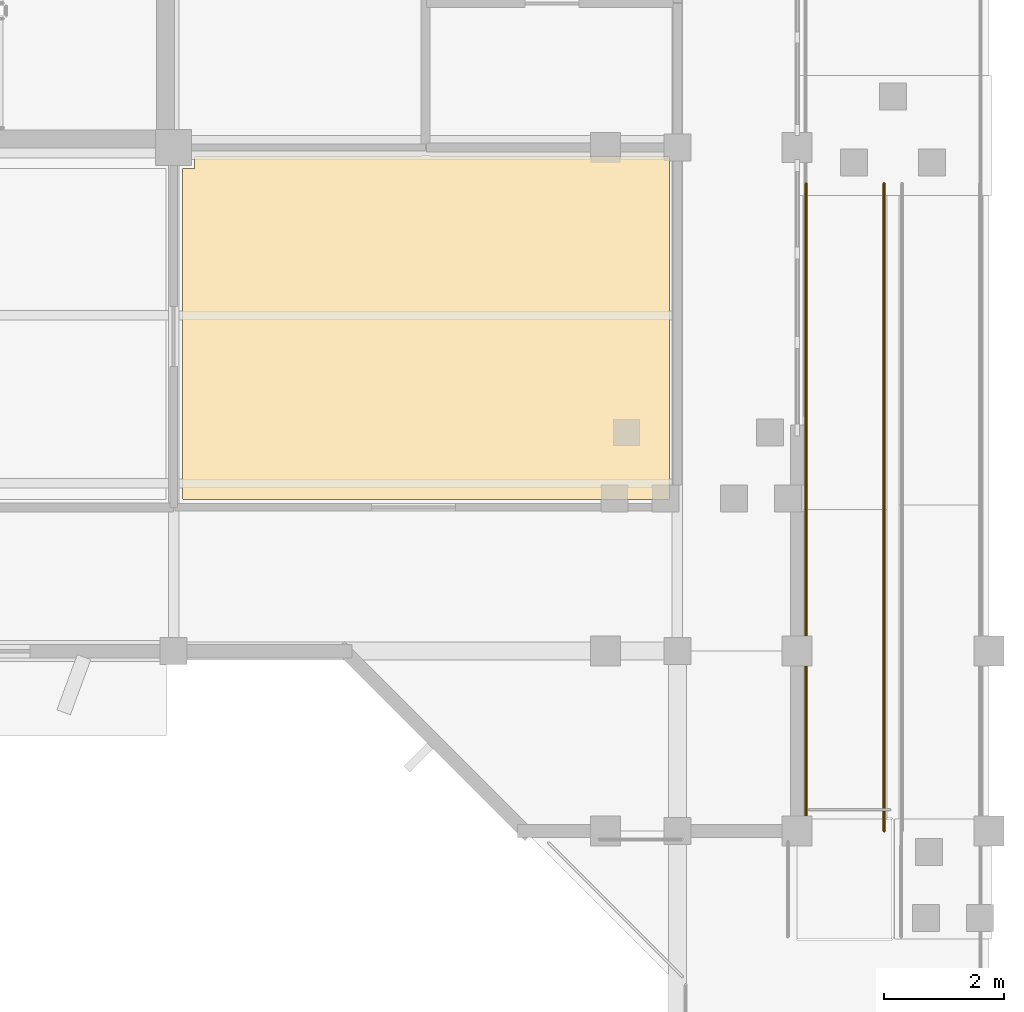
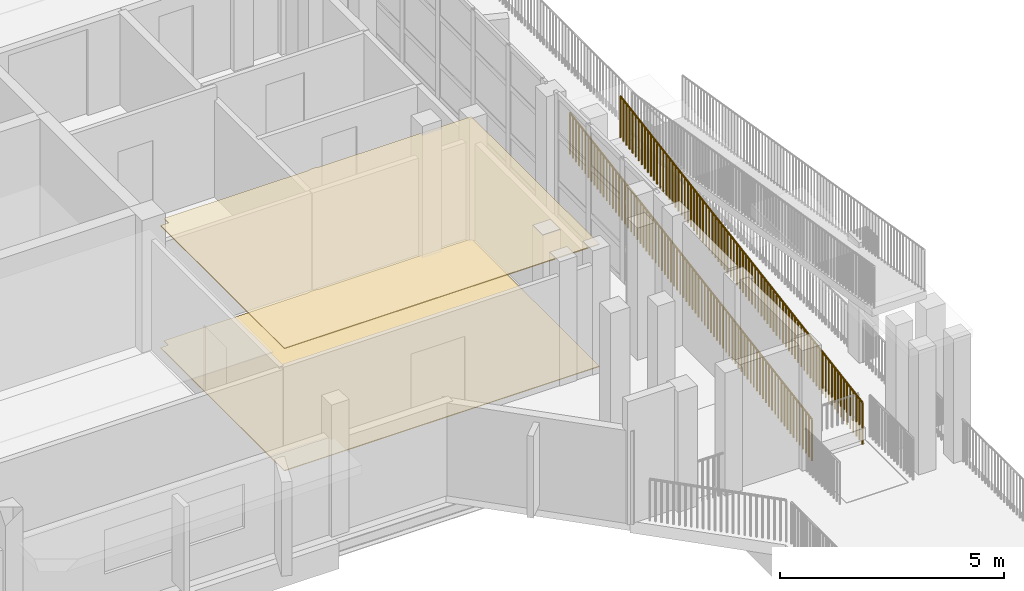
# One storey, part 40 of 42: 2 coverings, 2 railings.
"""IFC4 building model written with IfcOpenShell, lengths in metres."""

import ifcopenshell
import ifcopenshell.guid

model = None  # the IFC model being written
_history = None  # IfcOwnerHistory: only IFC2X3 demands one
_inside = {}  # id of a spatial element -> (the spatial element, [elements in it])
_under = {}  # id of a project, library or spatial element -> (it, [spatial elements below it])
_declared = {}  # id of a project -> (the project, [libraries it declares])
_typed = {}  # id of a type object -> (the type object, [elements of that type])
_made_of = {}  # id of a material, layer set ... -> (it, [elements and type objects made of it])


def new_model(schema):
    """Start an empty IFC model of exactly this schema.

    Asked for "IFC4X3", IfcOpenShell would pick the latest addendum, in which some entities
    have other attributes; the version numbers below select the first issue.
    IFC2X3 requires an IfcOwnerHistory on every rooted entity: one is made here for all.
    """
    global model, _history
    if schema == "IFC4X3":
        model = ifcopenshell.file(schema_version=(4, 3, 0, 0))
    else:
        model = ifcopenshell.file(schema=schema)
    _inside.clear()
    _under.clear()
    _declared.clear()
    _typed.clear()
    _made_of.clear()
    _history = None
    if model.schema == "IFC2X3":
        org = make("IfcOrganization", Name="unknown")
        user = make(
            "IfcPersonAndOrganization",
            ThePerson=make("IfcPerson", FamilyName="unknown"),
            TheOrganization=org,
        )
        app = make(
            "IfcApplication",
            ApplicationDeveloper=org,
            Version="unknown",
            ApplicationFullName="unknown",
            ApplicationIdentifier="unknown",
        )
        _history = make(
            "IfcOwnerHistory",
            OwningUser=user,
            OwningApplication=app,
            ChangeAction="ADDED",
            CreationDate=0,
        )
    return model


def make(cls, **values):
    """One entity of the class cls with the attributes given. An attribute that is None is left unset."""
    return model.create_entity(
        cls, **{name: value for name, value in values.items() if value is not None}
    )


def rooted(cls, **values):
    """An entity with a GlobalId (a new one), such as an element, a storey or a relation."""
    return make(cls, GlobalId=ifcopenshell.guid.new(), OwnerHistory=_history, **values)


def si_unit(unit_type, name, prefix=None):
    """IfcSIUnit, for example si_unit("LENGTHUNIT", "METRE", prefix="MILLI")."""
    return make("IfcSIUnit", UnitType=unit_type, Prefix=prefix, Name=name)


def assignment(units):
    """IfcUnitAssignment: the units of a project."""
    return None if units is None else make("IfcUnitAssignment", Units=units)


def point(xyz):
    """IfcCartesianPoint."""
    return None if xyz is None else make("IfcCartesianPoint", Coordinates=xyz)


def direction(xyz):
    """IfcDirection."""
    return None if xyz is None else make("IfcDirection", DirectionRatios=xyz)


def frame(location, z_axis=None, x_axis=None):
    """IfcAxis2Placement3D, a coordinate frame: its origin and axes. An axis left out is left unset."""
    return make(
        "IfcAxis2Placement3D",
        Location=point(location),
        Axis=direction(z_axis),
        RefDirection=direction(x_axis),
    )


def frame_2d(location, x_axis=None):
    """IfcAxis2Placement2D, a coordinate frame in the plane: its origin and x axis."""
    return make(
        "IfcAxis2Placement2D", Location=point(location), RefDirection=direction(x_axis)
    )


def origin():
    """The frame at (0, 0, 0) with its axes left unset."""
    return frame((0.0, 0.0, 0.0))


def origin_2d():
    """The frame at (0, 0) in the plane with its x axis left unset."""
    return frame_2d((0.0, 0.0))


def place(relative_to, where):
    """IfcLocalPlacement: puts the frame where relative to a parent placement (None: the world)."""
    return make(
        "IfcLocalPlacement", PlacementRelTo=relative_to, RelativePlacement=where
    )


def context(
    kind, dimensions, precision=None, world=None, true_north=None, identifier=None
):
    """IfcGeometricRepresentationContext, for example the 3D "Model" context."""
    return make(
        "IfcGeometricRepresentationContext",
        ContextIdentifier=identifier,
        ContextType=kind,
        CoordinateSpaceDimension=dimensions,
        Precision=precision,
        WorldCoordinateSystem=world,
        TrueNorth=true_north,
    )


def subcontext(parent, identifier, kind, view, scale=None):
    """IfcGeometricRepresentationSubContext, for example "Body" below "Model"."""
    return make(
        "IfcGeometricRepresentationSubContext",
        ContextIdentifier=identifier,
        ContextType=kind,
        ParentContext=parent,
        TargetScale=scale,
        TargetView=view,
    )


def project(units=None, contexts=None):
    """IfcProject with its units and contexts."""
    return rooted(
        "IfcProject",
        Name="project",
        RepresentationContexts=contexts,
        UnitsInContext=assignment(units),
    )


def spatial(cls, under=None, at=None, **own):
    """A site, building, storey or space (cls), placed at a placement, below another one or the project."""
    s = rooted(cls, ObjectPlacement=at, **own)
    if under is not None:
        _under.setdefault(under.id(), (under, []))[1].append(s)
    return s


def polyline(points):
    """IfcPolyline through the points."""
    return make("IfcPolyline", Points=[point(p) for p in points])


def profile(cls, at=None, kind="AREA", **sizes):
    """A parametric profile (cls). Its sizes go by their IFC names, for example OverallWidth=200.0."""
    return make(cls, ProfileType=kind, Position=at, **sizes)


def circle(**sizes):
    """IfcCircleProfileDef."""
    return profile("IfcCircleProfileDef", **sizes)


def outline(outer, holes=None, kind="AREA"):
    """IfcArbitraryClosedProfileDef: a profile drawn as a closed curve; with holes, ...WithVoids."""
    if holes is None:
        return make("IfcArbitraryClosedProfileDef", ProfileType=kind, OuterCurve=outer)
    return make(
        "IfcArbitraryProfileDefWithVoids",
        ProfileType=kind,
        OuterCurve=outer,
        InnerCurves=holes,
    )


def extrude(swept, where, along, depth):
    """IfcExtrudedAreaSolid: the profile swept, set in the frame where, extruded along a direction by depth."""
    return make(
        "IfcExtrudedAreaSolid",
        SweptArea=swept,
        Position=where,
        ExtrudedDirection=direction(along),
        Depth=depth,
    )


def shape(context_of_items, identifier, shape_type, items):
    """IfcShapeRepresentation: the items that make up one representation, for example the "Body"."""
    return make(
        "IfcShapeRepresentation",
        ContextOfItems=context_of_items,
        RepresentationIdentifier=identifier,
        RepresentationType=shape_type,
        Items=items,
    )


def material(Name=None, Category=None):
    """IfcMaterial."""
    return make("IfcMaterial", Name=Name, Category=Category)


def layer(
    of_material, thickness, ventilated=None, Name=None, Category=None, Priority=None
):
    """IfcMaterialLayer: one layer of a wall or slab, of a material (None: an air gap)."""
    return make(
        "IfcMaterialLayer",
        Material=of_material,
        LayerThickness=thickness,
        IsVentilated=ventilated,
        Name=Name,
        Category=Category,
        Priority=Priority,
    )


def layer_set(layers, Name=None):
    """IfcMaterialLayerSet."""
    return make("IfcMaterialLayerSet", MaterialLayers=layers, LayerSetName=Name)


def made_of(thing, what):
    """Note that an element or type object is made of a material, layer set ...; save() writes the relation."""
    if what is not None:
        _made_of.setdefault(what.id(), (what, []))[1].append(thing)
    return thing


def type_object(cls, material=None, **own):
    """A type object (cls), such as IfcWallType, which elements share."""
    return made_of(rooted(cls, **own), material)


def element(
    cls,
    number,
    at=None,
    inside=None,
    cuts=None,
    type_object=None,
    material=None,
    context=None,
    identifier="Body",
    shape_type=None,
    held_by="IfcProductDefinitionShape",
    body=None,
    shapes=None,
    **own,
):
    """One element of the class cls, such as IfcWall. Its Tag is "e" and its number.

    at: its placement. inside: the storey or other place that contains it. cuts: it is an
    opening in that element (IfcRelVoidsElement). A single representation is given by context,
    identifier, shape_type and body (its items); several are given by shapes. held_by: the class
    of the entity that holds the representations. save() writes the other relations.
    """
    e = rooted(cls, Tag="e%d" % number, ObjectPlacement=at, **own)
    if body is not None:
        shapes = [shape(context, identifier, shape_type, body)]
    if shapes is not None:
        e.Representation = make(held_by, Representations=shapes)
    if inside is not None:
        _inside.setdefault(inside.id(), (inside, []))[1].append(e)
    if cuts is not None:
        rooted(
            "IfcRelVoidsElement", RelatingBuildingElement=cuts, RelatedOpeningElement=e
        )
    if type_object is not None:
        _typed.setdefault(type_object.id(), (type_object, []))[1].append(e)
    return made_of(e, material)


def aggregate(whole, parts):
    """IfcRelAggregates: a whole, such as a stair, and the parts it consists of."""
    return rooted("IfcRelAggregates", RelatingObject=whole, RelatedObjects=parts)


def save(model, path):
    """Write the relations noted so far, then the file.

    IfcRelAggregates (storeys below a building ...), IfcRelContainedInSpatialStructure (elements
    in a storey), IfcRelDefinesByType, IfcRelAssociatesMaterial and IfcRelDeclares: one each for
    every whole, place, type object, material and project.
    """
    for whole, parts in _under.values():
        aggregate(whole, parts)
    for where, things in _inside.values():
        rooted(
            "IfcRelContainedInSpatialStructure",
            RelatedElements=things,
            RelatingStructure=where,
        )
    for kind, things in _typed.values():
        rooted("IfcRelDefinesByType", RelatedObjects=things, RelatingType=kind)
    for what, things in _made_of.values():
        rooted("IfcRelAssociatesMaterial", RelatedObjects=things, RelatingMaterial=what)
    for by, libraries in _declared.values():
        rooted("IfcRelDeclares", RelatingContext=by, RelatedDefinitions=libraries)
    model.write(path)


model = new_model("IFC4")

# Units and contexts
model_context = context("Model", 3, precision=1e-05, world=origin(), true_north=direction((0.0, 1.0)))
body_context = subcontext(model_context, "Body", "Model", "MODEL_VIEW")
ifc_project = project(units=[si_unit("LENGTHUNIT", "METRE"), si_unit("AREAUNIT", "SQUARE_METRE"), si_unit("VOLUMEUNIT", "CUBIC_METRE"), si_unit("PLANEANGLEUNIT", "RADIAN"), si_unit("MASSUNIT", "GRAM", prefix="KILO")], contexts=[model_context])

# Site, building, storey
site_placement = place(None, origin())
site = spatial("IfcSite", under=ifc_project, at=site_placement, CompositionType="ELEMENT")
building_placement = place(site_placement, origin())
building = spatial("IfcBuilding", under=site, at=building_placement, Name="Vanh Quang Courtyard School", CompositionType="ELEMENT")
storey_placement = place(building_placement, frame((0.0, 0.0, 15.0)))
storey = spatial("IfcBuildingStorey", under=building, at=storey_placement, Name="L04", CompositionType="ELEMENT", Elevation=15.0)

# Coverings
ifc_material_1 = material(Name="Perforated mineral-fibre acoustic ceiling board")
ifc_layer_1 = layer(ifc_material_1, 0.02490234375)
ifc_layer_set_1 = layer_set([ifc_layer_1], Name="Perforated mineral-fibre acoustic ceiling board")
covering_type_1 = type_object("IfcCoveringType", Name="COV-CEIL-ACOUSTIC", PredefinedType="CEILING", material=ifc_layer_set_1)
covering_1_placement = place(storey_placement, frame((0.0, 0.0, 3.324951171875)))
element("IfcCovering", 1, at=covering_1_placement, inside=storey, type_object=covering_type_1, Name="Covering CV-CL1 (L04)", PredefinedType="CEILING", context=body_context, shape_type="SweptSolid", body=[
    extrude(outline(polyline([(102.75, 79.449951171875), (102.949951171875, 79.449951171875), (102.949951171875, 79.64990234375), (106.6591796875, 79.64990234375), (106.765625, 79.669921875), (106.7666015625, 79.669921875), (106.767333984375, 79.669921875), (106.8525390625, 79.669921875), (106.853515625, 79.669921875), (106.8544921875, 79.669921875), (106.9609375, 79.64990234375), (110.860107421875, 79.64990234375), (110.861083984375, 79.64990234375), (110.862060546875, 79.64990234375), (110.86279296875, 79.649658203125), (110.86376953125, 79.649169921875), (110.86474609375, 79.648681640625), (110.865478515625, 79.648193359375), (110.8662109375, 79.647705078125), (110.8671875, 79.647216796875), (110.86767578125, 79.646240234375), (110.868408203125, 79.6455078125), (110.868896484375, 79.644775390625), (110.869140625, 79.643798828125), (110.86962890625, 79.642822265625), (110.869873046875, 79.64208984375), (110.8701171875, 79.64111328125), (110.8701171875, 79.639892578125), (110.8701171875, 73.93994140625), (110.8701171875, 73.93896484375), (110.869873046875, 73.93798828125), (110.86962890625, 73.93701171875), (110.869140625, 73.936279296875), (110.868896484375, 73.935302734375), (110.868408203125, 73.934326171875), (110.86767578125, 73.93359375), (110.8671875, 73.932861328125), (110.8662109375, 73.932373046875), (110.865478515625, 73.931640625), (110.86474609375, 73.93115234375), (110.86376953125, 73.930908203125), (110.86279296875, 73.930419921875), (110.862060546875, 73.93017578125), (110.861083984375, 73.929931640625), (110.860107421875, 73.929931640625), (102.760009765625, 73.929931640625), (102.759033203125, 73.929931640625), (102.758056640625, 73.93017578125), (102.757080078125, 73.930419921875), (102.756103515625, 73.930908203125), (102.75537109375, 73.93115234375), (102.75439453125, 73.931640625), (102.753662109375, 73.932373046875), (102.7529296875, 73.932861328125), (102.752197265625, 73.93359375), (102.751708984375, 73.934326171875), (102.751220703125, 73.935302734375), (102.750732421875, 73.936279296875), (102.75048828125, 73.93701171875), (102.750244140625, 73.93798828125), (102.75, 73.93896484375), (102.75, 73.93994140625), (102.75, 79.449951171875)])), origin(), (0.0, 0.0, 1.0), 0.025146484375),
])
ifc_material_2 = material(Name="Polished cementitious terrazzo tile", Category="concrete")
ifc_layer_2 = layer(ifc_material_2, 0.02001953125)
ifc_layer_set_2 = layer_set([ifc_layer_2], Name="Polished cementitious terrazzo tile")
covering_type_2 = type_object("IfcCoveringType", Name="COV-FLR-TERRAZZO", PredefinedType="FLOORING", material=ifc_layer_set_2)
covering_2_placement = place(storey_placement, origin())
element("IfcCovering", 2, at=covering_2_placement, inside=storey, type_object=covering_type_2, Name="Covering CV-FL1 (L04)", PredefinedType="FLOORING", context=body_context, shape_type="SweptSolid", body=[
    extrude(outline(polyline([(102.75, 79.449951171875), (102.949951171875, 79.449951171875), (102.949951171875, 79.64990234375), (106.6591796875, 79.64990234375), (106.765625, 79.669921875), (106.7666015625, 79.669921875), (106.767333984375, 79.669921875), (106.8525390625, 79.669921875), (106.853515625, 79.669921875), (106.8544921875, 79.669921875), (106.9609375, 79.64990234375), (110.860107421875, 79.64990234375), (110.861083984375, 79.64990234375), (110.862060546875, 79.64990234375), (110.86279296875, 79.649658203125), (110.86376953125, 79.649169921875), (110.86474609375, 79.648681640625), (110.865478515625, 79.648193359375), (110.8662109375, 79.647705078125), (110.8671875, 79.647216796875), (110.86767578125, 79.646240234375), (110.868408203125, 79.6455078125), (110.868896484375, 79.644775390625), (110.869140625, 79.643798828125), (110.86962890625, 79.642822265625), (110.869873046875, 79.64208984375), (110.8701171875, 79.64111328125), (110.8701171875, 79.639892578125), (110.8701171875, 73.93994140625), (110.8701171875, 73.93896484375), (110.869873046875, 73.93798828125), (110.86962890625, 73.93701171875), (110.869140625, 73.936279296875), (110.868896484375, 73.935302734375), (110.868408203125, 73.934326171875), (110.86767578125, 73.93359375), (110.8671875, 73.932861328125), (110.8662109375, 73.932373046875), (110.865478515625, 73.931640625), (110.86474609375, 73.93115234375), (110.86376953125, 73.930908203125), (110.86279296875, 73.930419921875), (110.862060546875, 73.93017578125), (110.861083984375, 73.929931640625), (110.860107421875, 73.929931640625), (102.760009765625, 73.929931640625), (102.759033203125, 73.929931640625), (102.758056640625, 73.93017578125), (102.757080078125, 73.930419921875), (102.756103515625, 73.930908203125), (102.75537109375, 73.93115234375), (102.75439453125, 73.931640625), (102.753662109375, 73.932373046875), (102.7529296875, 73.932861328125), (102.752197265625, 73.93359375), (102.751708984375, 73.934326171875), (102.751220703125, 73.935302734375), (102.750732421875, 73.936279296875), (102.75048828125, 73.93701171875), (102.750244140625, 73.93798828125), (102.75, 73.93896484375), (102.75, 73.93994140625), (102.75, 79.449951171875)])), origin(), (0.0, 0.0, 1.0), 0.02001953125),
])

# Railings
ifc_material_3 = material(Name="Galvanised painted steel EN 10025-2 S355J2", Category="steel")
railing_type = type_object("IfcRailingType", Name="RAIL-GUARD-1150", PredefinedType="BALUSTRADE", material=ifc_material_3)
railing_1_placement = place(storey_placement, frame((113.14990234375, 68.39990234375, 0.0)))
element("IfcRailing", 3, at=railing_1_placement, inside=storey, type_object=railing_type, Name="Railing GR-01 (L04)", PredefinedType="BALUSTRADE", context=body_context, shape_type="SweptSolid", body=[
    extrude(circle(Radius=0.02392578125, at=origin_2d()), frame((0.0, 0.0, 1.1259765625), z_axis=(0.0, 0.986393321179, 0.164402603184), x_axis=(-1.0, 0.0, 0.0)), (0.0, 0.0, 1.0), 10.948974609375),
    extrude(circle(Radius=0.02099609375, at=origin_2d()), origin(), (0.0, 0.0, 1.0), 1.101806640625),
    extrude(circle(Radius=0.02099609375, at=origin_2d()), frame((0.0, 0.13671875, 0.022705078125)), (0.0, 0.0, 1.0), 1.101806640625),
    extrude(circle(Radius=0.02099609375, at=origin_2d()), frame((0.0, 0.2734375, 0.045654296875)), (0.0, 0.0, 1.0), 1.101806640625),
    extrude(circle(Radius=0.02099609375, at=origin_2d()), frame((0.0, 0.41015625, 0.068359375)), (0.0, 0.0, 1.0), 1.101806640625),
    extrude(circle(Radius=0.02099609375, at=origin_2d()), frame((0.0, 0.546875, 0.091064453125)), (0.0, 0.0, 1.0), 1.101806640625),
    extrude(circle(Radius=0.02099609375, at=origin_2d()), frame((0.0, 0.68359375, 0.114013671875)), (0.0, 0.0, 1.0), 1.101806640625),
    extrude(circle(Radius=0.02099609375, at=origin_2d()), frame((0.0, 0.8203125, 0.13671875)), (0.0, 0.0, 1.0), 1.101806640625),
    extrude(circle(Radius=0.02099609375, at=origin_2d()), frame((0.0, 0.95703125, 0.159423828125)), (0.0, 0.0, 1.0), 1.101806640625),
    extrude(circle(Radius=0.02099609375, at=origin_2d()), frame((0.0, 1.09375, 0.182373046875)), (0.0, 0.0, 1.0), 1.101806640625),
    extrude(circle(Radius=0.02099609375, at=origin_2d()), frame((0.0, 1.23046875, 0.205078125)), (0.0, 0.0, 1.0), 1.101806640625),
    extrude(circle(Radius=0.02099609375, at=origin_2d()), frame((0.0, 1.3671875, 0.227783203125)), (0.0, 0.0, 1.0), 1.101806640625),
    extrude(circle(Radius=0.02099609375, at=origin_2d()), frame((0.0, 1.50390625, 0.250732421875)), (0.0, 0.0, 1.0), 1.101806640625),
    extrude(circle(Radius=0.02099609375, at=origin_2d()), frame((0.0, 1.640625, 0.2734375)), (0.0, 0.0, 1.0), 1.101806640625),
    extrude(circle(Radius=0.02099609375, at=origin_2d()), frame((0.0, 1.77734375, 0.296142578125)), (0.0, 0.0, 1.0), 1.101806640625),
    extrude(circle(Radius=0.02099609375, at=origin_2d()), frame((0.0, 1.913818359375, 0.319091796875)), (0.0, 0.0, 1.0), 1.101806640625),
    extrude(circle(Radius=0.02099609375, at=origin_2d()), frame((0.0, 2.050537109375, 0.341796875)), (0.0, 0.0, 1.0), 1.101806640625),
    extrude(circle(Radius=0.02099609375, at=origin_2d()), frame((0.0, 2.187255859375, 0.364501953125)), (0.0, 0.0, 1.0), 1.101806640625),
    extrude(circle(Radius=0.02099609375, at=origin_2d()), frame((0.0, 2.323974609375, 0.387451171875)), (0.0, 0.0, 1.0), 1.101806640625),
    extrude(circle(Radius=0.02099609375, at=origin_2d()), frame((0.0, 2.460693359375, 0.41015625)), (0.0, 0.0, 1.0), 1.101806640625),
    extrude(circle(Radius=0.02099609375, at=origin_2d()), frame((0.0, 2.597412109375, 0.432861328125)), (0.0, 0.0, 1.0), 1.101806640625),
    extrude(circle(Radius=0.02099609375, at=origin_2d()), frame((0.0, 2.734130859375, 0.455810546875)), (0.0, 0.0, 1.0), 1.101806640625),
    extrude(circle(Radius=0.02099609375, at=origin_2d()), frame((0.0, 2.870849609375, 0.478515625)), (0.0, 0.0, 1.0), 1.101806640625),
    extrude(circle(Radius=0.02099609375, at=origin_2d()), frame((0.0, 3.007568359375, 0.501220703125)), (0.0, 0.0, 1.0), 1.101806640625),
    extrude(circle(Radius=0.02099609375, at=origin_2d()), frame((0.0, 3.144287109375, 0.524169921875)), (0.0, 0.0, 1.0), 1.101806640625),
    extrude(circle(Radius=0.02099609375, at=origin_2d()), frame((0.0, 3.281005859375, 0.546875)), (0.0, 0.0, 1.0), 1.101806640625),
    extrude(circle(Radius=0.02099609375, at=origin_2d()), frame((0.0, 3.417724609375, 0.569580078125)), (0.0, 0.0, 1.0), 1.101806640625),
    extrude(circle(Radius=0.02099609375, at=origin_2d()), frame((0.0, 3.554443359375, 0.592529296875)), (0.0, 0.0, 1.0), 1.101806640625),
    extrude(circle(Radius=0.02099609375, at=origin_2d()), frame((0.0, 3.691162109375, 0.615234375)), (0.0, 0.0, 1.0), 1.101806640625),
    extrude(circle(Radius=0.02099609375, at=origin_2d()), frame((0.0, 3.827880859375, 0.637939453125)), (0.0, 0.0, 1.0), 1.101806640625),
    extrude(circle(Radius=0.02099609375, at=origin_2d()), frame((0.0, 3.964599609375, 0.660888671875)), (0.0, 0.0, 1.0), 1.101806640625),
    extrude(circle(Radius=0.02099609375, at=origin_2d()), frame((0.0, 4.101318359375, 0.68359375)), (0.0, 0.0, 1.0), 1.101806640625),
    extrude(circle(Radius=0.02099609375, at=origin_2d()), frame((0.0, 4.238037109375, 0.706298828125)), (0.0, 0.0, 1.0), 1.101806640625),
    extrude(circle(Radius=0.02099609375, at=origin_2d()), frame((0.0, 4.374755859375, 0.729248046875)), (0.0, 0.0, 1.0), 1.101806640625),
    extrude(circle(Radius=0.02099609375, at=origin_2d()), frame((0.0, 4.511474609375, 0.751953125)), (0.0, 0.0, 1.0), 1.101806640625),
    extrude(circle(Radius=0.02099609375, at=origin_2d()), frame((0.0, 4.648193359375, 0.774658203125)), (0.0, 0.0, 1.0), 1.101806640625),
    extrude(circle(Radius=0.02099609375, at=origin_2d()), frame((0.0, 4.784912109375, 0.797607421875)), (0.0, 0.0, 1.0), 1.101806640625),
    extrude(circle(Radius=0.02099609375, at=origin_2d()), frame((0.0, 4.921630859375, 0.8203125)), (0.0, 0.0, 1.0), 1.101806640625),
    extrude(circle(Radius=0.02099609375, at=origin_2d()), frame((0.0, 5.058349609375, 0.843017578125)), (0.0, 0.0, 1.0), 1.101806640625),
    extrude(circle(Radius=0.02099609375, at=origin_2d()), frame((0.0, 5.195068359375, 0.865966796875)), (0.0, 0.0, 1.0), 1.101806640625),
    extrude(circle(Radius=0.02099609375, at=origin_2d()), frame((0.0, 5.331787109375, 0.888671875)), (0.0, 0.0, 1.0), 1.101806640625),
    extrude(circle(Radius=0.02099609375, at=origin_2d()), frame((0.0, 5.46826171875, 0.911376953125)), (0.0, 0.0, 1.0), 1.101806640625),
    extrude(circle(Radius=0.02099609375, at=origin_2d()), frame((0.0, 5.60498046875, 0.93408203125)), (0.0, 0.0, 1.0), 1.101806640625),
    extrude(circle(Radius=0.02099609375, at=origin_2d()), frame((0.0, 5.74169921875, 0.95703125)), (0.0, 0.0, 1.0), 1.101806640625),
    extrude(circle(Radius=0.02099609375, at=origin_2d()), frame((0.0, 5.87841796875, 0.979736328125)), (0.0, 0.0, 1.0), 1.101806640625),
    extrude(circle(Radius=0.02099609375, at=origin_2d()), frame((0.0, 6.01513671875, 1.00244140625)), (0.0, 0.0, 1.0), 1.101806640625),
    extrude(circle(Radius=0.02099609375, at=origin_2d()), frame((0.0, 6.15185546875, 1.025390625)), (0.0, 0.0, 1.0), 1.101806640625),
    extrude(circle(Radius=0.02099609375, at=origin_2d()), frame((0.0, 6.28857421875, 1.048095703125)), (0.0, 0.0, 1.0), 1.101806640625),
    extrude(circle(Radius=0.02099609375, at=origin_2d()), frame((0.0, 6.42529296875, 1.07080078125)), (0.0, 0.0, 1.0), 1.101806640625),
    extrude(circle(Radius=0.02099609375, at=origin_2d()), frame((0.0, 6.56201171875, 1.09375)), (0.0, 0.0, 1.0), 1.101806640625),
    extrude(circle(Radius=0.02099609375, at=origin_2d()), frame((0.0, 6.69873046875, 1.116455078125)), (0.0, 0.0, 1.0), 1.101806640625),
    extrude(circle(Radius=0.02099609375, at=origin_2d()), frame((0.0, 6.83544921875, 1.13916015625)), (0.0, 0.0, 1.0), 1.101806640625),
    extrude(circle(Radius=0.02099609375, at=origin_2d()), frame((0.0, 6.97216796875, 1.162109375)), (0.0, 0.0, 1.0), 1.101806640625),
    extrude(circle(Radius=0.02099609375, at=origin_2d()), frame((0.0, 7.10888671875, 1.184814453125)), (0.0, 0.0, 1.0), 1.101806640625),
    extrude(circle(Radius=0.02099609375, at=origin_2d()), frame((0.0, 7.24560546875, 1.20751953125)), (0.0, 0.0, 1.0), 1.101806640625),
    extrude(circle(Radius=0.02099609375, at=origin_2d()), frame((0.0, 7.38232421875, 1.23046875)), (0.0, 0.0, 1.0), 1.101806640625),
    extrude(circle(Radius=0.02099609375, at=origin_2d()), frame((0.0, 7.51904296875, 1.253173828125)), (0.0, 0.0, 1.0), 1.101806640625),
    extrude(circle(Radius=0.02099609375, at=origin_2d()), frame((0.0, 7.65576171875, 1.27587890625)), (0.0, 0.0, 1.0), 1.101806640625),
    extrude(circle(Radius=0.02099609375, at=origin_2d()), frame((0.0, 7.79248046875, 1.298828125)), (0.0, 0.0, 1.0), 1.101806640625),
    extrude(circle(Radius=0.02099609375, at=origin_2d()), frame((0.0, 7.92919921875, 1.321533203125)), (0.0, 0.0, 1.0), 1.101806640625),
    extrude(circle(Radius=0.02099609375, at=origin_2d()), frame((0.0, 8.06591796875, 1.34423828125)), (0.0, 0.0, 1.0), 1.101806640625),
    extrude(circle(Radius=0.02099609375, at=origin_2d()), frame((0.0, 8.20263671875, 1.3671875)), (0.0, 0.0, 1.0), 1.101806640625),
    extrude(circle(Radius=0.02099609375, at=origin_2d()), frame((0.0, 8.33935546875, 1.389892578125)), (0.0, 0.0, 1.0), 1.101806640625),
    extrude(circle(Radius=0.02099609375, at=origin_2d()), frame((0.0, 8.47607421875, 1.41259765625)), (0.0, 0.0, 1.0), 1.101806640625),
    extrude(circle(Radius=0.02099609375, at=origin_2d()), frame((0.0, 8.61279296875, 1.435546875)), (0.0, 0.0, 1.0), 1.101806640625),
    extrude(circle(Radius=0.02099609375, at=origin_2d()), frame((0.0, 8.74951171875, 1.458251953125)), (0.0, 0.0, 1.0), 1.101806640625),
    extrude(circle(Radius=0.02099609375, at=origin_2d()), frame((0.0, 8.88623046875, 1.48095703125)), (0.0, 0.0, 1.0), 1.101806640625),
    extrude(circle(Radius=0.02099609375, at=origin_2d()), frame((0.0, 9.022705078125, 1.50390625)), (0.0, 0.0, 1.0), 1.101806640625),
    extrude(circle(Radius=0.02099609375, at=origin_2d()), frame((0.0, 9.159423828125, 1.526611328125)), (0.0, 0.0, 1.0), 1.101806640625),
    extrude(circle(Radius=0.02099609375, at=origin_2d()), frame((0.0, 9.296142578125, 1.54931640625)), (0.0, 0.0, 1.0), 1.101806640625),
    extrude(circle(Radius=0.02099609375, at=origin_2d()), frame((0.0, 9.432861328125, 1.572265625)), (0.0, 0.0, 1.0), 1.101806640625),
    extrude(circle(Radius=0.02099609375, at=origin_2d()), frame((0.0, 9.569580078125, 1.594970703125)), (0.0, 0.0, 1.0), 1.101806640625),
    extrude(circle(Radius=0.02099609375, at=origin_2d()), frame((0.0, 9.706298828125, 1.61767578125)), (0.0, 0.0, 1.0), 1.101806640625),
    extrude(circle(Radius=0.02099609375, at=origin_2d()), frame((0.0, 9.843017578125, 1.640625)), (0.0, 0.0, 1.0), 1.101806640625),
    extrude(circle(Radius=0.02099609375, at=origin_2d()), frame((0.0, 9.979736328125, 1.663330078125)), (0.0, 0.0, 1.0), 1.101806640625),
    extrude(circle(Radius=0.02099609375, at=origin_2d()), frame((0.0, 10.116455078125, 1.68603515625)), (0.0, 0.0, 1.0), 1.101806640625),
    extrude(circle(Radius=0.02099609375, at=origin_2d()), frame((0.0, 10.253173828125, 1.708984375)), (0.0, 0.0, 1.0), 1.101806640625),
    extrude(circle(Radius=0.02099609375, at=origin_2d()), frame((0.0, 10.389892578125, 1.731689453125)), (0.0, 0.0, 1.0), 1.101806640625),
    extrude(circle(Radius=0.02099609375, at=origin_2d()), frame((0.0, 10.526611328125, 1.75439453125)), (0.0, 0.0, 1.0), 1.101806640625),
    extrude(circle(Radius=0.02099609375, at=origin_2d()), frame((0.0, 10.663330078125, 1.77734375)), (0.0, 0.0, 1.0), 1.101806640625),
    extrude(circle(Radius=0.02099609375, at=origin_2d()), frame((0.0, 10.800048828125, 1.800048828125)), (0.0, 0.0, 1.0), 1.101806640625),
])
railing_2_placement = place(storey_placement, frame((114.449951171875, 68.39990234375, 0.0)))
element("IfcRailing", 4, at=railing_2_placement, inside=storey, type_object=railing_type, Name="Railing GR-01 (L04)", PredefinedType="BALUSTRADE", context=body_context, shape_type="SweptSolid", body=[
    extrude(circle(Radius=0.02392578125, at=origin_2d()), frame((0.0, 0.0, 1.1259765625), z_axis=(0.0, 0.986393321179, 0.164402603184), x_axis=(-1.0, 0.0, 0.0)), (0.0, 0.0, 1.0), 10.948974609375),
    extrude(circle(Radius=0.02099609375, at=origin_2d()), origin(), (0.0, 0.0, 1.0), 1.101806640625),
    extrude(circle(Radius=0.02099609375, at=origin_2d()), frame((0.0, 0.13671875, 0.022705078125)), (0.0, 0.0, 1.0), 1.101806640625),
    extrude(circle(Radius=0.02099609375, at=origin_2d()), frame((0.0, 0.2734375, 0.045654296875)), (0.0, 0.0, 1.0), 1.101806640625),
    extrude(circle(Radius=0.02099609375, at=origin_2d()), frame((0.0, 0.41015625, 0.068359375)), (0.0, 0.0, 1.0), 1.101806640625),
    extrude(circle(Radius=0.02099609375, at=origin_2d()), frame((0.0, 0.546875, 0.091064453125)), (0.0, 0.0, 1.0), 1.101806640625),
    extrude(circle(Radius=0.02099609375, at=origin_2d()), frame((0.0, 0.68359375, 0.114013671875)), (0.0, 0.0, 1.0), 1.101806640625),
    extrude(circle(Radius=0.02099609375, at=origin_2d()), frame((0.0, 0.8203125, 0.13671875)), (0.0, 0.0, 1.0), 1.101806640625),
    extrude(circle(Radius=0.02099609375, at=origin_2d()), frame((0.0, 0.95703125, 0.159423828125)), (0.0, 0.0, 1.0), 1.101806640625),
    extrude(circle(Radius=0.02099609375, at=origin_2d()), frame((0.0, 1.09375, 0.182373046875)), (0.0, 0.0, 1.0), 1.101806640625),
    extrude(circle(Radius=0.02099609375, at=origin_2d()), frame((0.0, 1.23046875, 0.205078125)), (0.0, 0.0, 1.0), 1.101806640625),
    extrude(circle(Radius=0.02099609375, at=origin_2d()), frame((0.0, 1.3671875, 0.227783203125)), (0.0, 0.0, 1.0), 1.101806640625),
    extrude(circle(Radius=0.02099609375, at=origin_2d()), frame((0.0, 1.50390625, 0.250732421875)), (0.0, 0.0, 1.0), 1.101806640625),
    extrude(circle(Radius=0.02099609375, at=origin_2d()), frame((0.0, 1.640625, 0.2734375)), (0.0, 0.0, 1.0), 1.101806640625),
    extrude(circle(Radius=0.02099609375, at=origin_2d()), frame((0.0, 1.77734375, 0.296142578125)), (0.0, 0.0, 1.0), 1.101806640625),
    extrude(circle(Radius=0.02099609375, at=origin_2d()), frame((0.0, 1.913818359375, 0.319091796875)), (0.0, 0.0, 1.0), 1.101806640625),
    extrude(circle(Radius=0.02099609375, at=origin_2d()), frame((0.0, 2.050537109375, 0.341796875)), (0.0, 0.0, 1.0), 1.101806640625),
    extrude(circle(Radius=0.02099609375, at=origin_2d()), frame((0.0, 2.187255859375, 0.364501953125)), (0.0, 0.0, 1.0), 1.101806640625),
    extrude(circle(Radius=0.02099609375, at=origin_2d()), frame((0.0, 2.323974609375, 0.387451171875)), (0.0, 0.0, 1.0), 1.101806640625),
    extrude(circle(Radius=0.02099609375, at=origin_2d()), frame((0.0, 2.460693359375, 0.41015625)), (0.0, 0.0, 1.0), 1.101806640625),
    extrude(circle(Radius=0.02099609375, at=origin_2d()), frame((0.0, 2.597412109375, 0.432861328125)), (0.0, 0.0, 1.0), 1.101806640625),
    extrude(circle(Radius=0.02099609375, at=origin_2d()), frame((0.0, 2.734130859375, 0.455810546875)), (0.0, 0.0, 1.0), 1.101806640625),
    extrude(circle(Radius=0.02099609375, at=origin_2d()), frame((0.0, 2.870849609375, 0.478515625)), (0.0, 0.0, 1.0), 1.101806640625),
    extrude(circle(Radius=0.02099609375, at=origin_2d()), frame((0.0, 3.007568359375, 0.501220703125)), (0.0, 0.0, 1.0), 1.101806640625),
    extrude(circle(Radius=0.02099609375, at=origin_2d()), frame((0.0, 3.144287109375, 0.524169921875)), (0.0, 0.0, 1.0), 1.101806640625),
    extrude(circle(Radius=0.02099609375, at=origin_2d()), frame((0.0, 3.281005859375, 0.546875)), (0.0, 0.0, 1.0), 1.101806640625),
    extrude(circle(Radius=0.02099609375, at=origin_2d()), frame((0.0, 3.417724609375, 0.569580078125)), (0.0, 0.0, 1.0), 1.101806640625),
    extrude(circle(Radius=0.02099609375, at=origin_2d()), frame((0.0, 3.554443359375, 0.592529296875)), (0.0, 0.0, 1.0), 1.101806640625),
    extrude(circle(Radius=0.02099609375, at=origin_2d()), frame((0.0, 3.691162109375, 0.615234375)), (0.0, 0.0, 1.0), 1.101806640625),
    extrude(circle(Radius=0.02099609375, at=origin_2d()), frame((0.0, 3.827880859375, 0.637939453125)), (0.0, 0.0, 1.0), 1.101806640625),
    extrude(circle(Radius=0.02099609375, at=origin_2d()), frame((0.0, 3.964599609375, 0.660888671875)), (0.0, 0.0, 1.0), 1.101806640625),
    extrude(circle(Radius=0.02099609375, at=origin_2d()), frame((0.0, 4.101318359375, 0.68359375)), (0.0, 0.0, 1.0), 1.101806640625),
    extrude(circle(Radius=0.02099609375, at=origin_2d()), frame((0.0, 4.238037109375, 0.706298828125)), (0.0, 0.0, 1.0), 1.101806640625),
    extrude(circle(Radius=0.02099609375, at=origin_2d()), frame((0.0, 4.374755859375, 0.729248046875)), (0.0, 0.0, 1.0), 1.101806640625),
    extrude(circle(Radius=0.02099609375, at=origin_2d()), frame((0.0, 4.511474609375, 0.751953125)), (0.0, 0.0, 1.0), 1.101806640625),
    extrude(circle(Radius=0.02099609375, at=origin_2d()), frame((0.0, 4.648193359375, 0.774658203125)), (0.0, 0.0, 1.0), 1.101806640625),
    extrude(circle(Radius=0.02099609375, at=origin_2d()), frame((0.0, 4.784912109375, 0.797607421875)), (0.0, 0.0, 1.0), 1.101806640625),
    extrude(circle(Radius=0.02099609375, at=origin_2d()), frame((0.0, 4.921630859375, 0.8203125)), (0.0, 0.0, 1.0), 1.101806640625),
    extrude(circle(Radius=0.02099609375, at=origin_2d()), frame((0.0, 5.058349609375, 0.843017578125)), (0.0, 0.0, 1.0), 1.101806640625),
    extrude(circle(Radius=0.02099609375, at=origin_2d()), frame((0.0, 5.195068359375, 0.865966796875)), (0.0, 0.0, 1.0), 1.101806640625),
    extrude(circle(Radius=0.02099609375, at=origin_2d()), frame((0.0, 5.331787109375, 0.888671875)), (0.0, 0.0, 1.0), 1.101806640625),
    extrude(circle(Radius=0.02099609375, at=origin_2d()), frame((0.0, 5.46826171875, 0.911376953125)), (0.0, 0.0, 1.0), 1.101806640625),
    extrude(circle(Radius=0.02099609375, at=origin_2d()), frame((0.0, 5.60498046875, 0.93408203125)), (0.0, 0.0, 1.0), 1.101806640625),
    extrude(circle(Radius=0.02099609375, at=origin_2d()), frame((0.0, 5.74169921875, 0.95703125)), (0.0, 0.0, 1.0), 1.101806640625),
    extrude(circle(Radius=0.02099609375, at=origin_2d()), frame((0.0, 5.87841796875, 0.979736328125)), (0.0, 0.0, 1.0), 1.101806640625),
    extrude(circle(Radius=0.02099609375, at=origin_2d()), frame((0.0, 6.01513671875, 1.00244140625)), (0.0, 0.0, 1.0), 1.101806640625),
    extrude(circle(Radius=0.02099609375, at=origin_2d()), frame((0.0, 6.15185546875, 1.025390625)), (0.0, 0.0, 1.0), 1.101806640625),
    extrude(circle(Radius=0.02099609375, at=origin_2d()), frame((0.0, 6.28857421875, 1.048095703125)), (0.0, 0.0, 1.0), 1.101806640625),
    extrude(circle(Radius=0.02099609375, at=origin_2d()), frame((0.0, 6.42529296875, 1.07080078125)), (0.0, 0.0, 1.0), 1.101806640625),
    extrude(circle(Radius=0.02099609375, at=origin_2d()), frame((0.0, 6.56201171875, 1.09375)), (0.0, 0.0, 1.0), 1.101806640625),
    extrude(circle(Radius=0.02099609375, at=origin_2d()), frame((0.0, 6.69873046875, 1.116455078125)), (0.0, 0.0, 1.0), 1.101806640625),
    extrude(circle(Radius=0.02099609375, at=origin_2d()), frame((0.0, 6.83544921875, 1.13916015625)), (0.0, 0.0, 1.0), 1.101806640625),
    extrude(circle(Radius=0.02099609375, at=origin_2d()), frame((0.0, 6.97216796875, 1.162109375)), (0.0, 0.0, 1.0), 1.101806640625),
    extrude(circle(Radius=0.02099609375, at=origin_2d()), frame((0.0, 7.10888671875, 1.184814453125)), (0.0, 0.0, 1.0), 1.101806640625),
    extrude(circle(Radius=0.02099609375, at=origin_2d()), frame((0.0, 7.24560546875, 1.20751953125)), (0.0, 0.0, 1.0), 1.101806640625),
    extrude(circle(Radius=0.02099609375, at=origin_2d()), frame((0.0, 7.38232421875, 1.23046875)), (0.0, 0.0, 1.0), 1.101806640625),
    extrude(circle(Radius=0.02099609375, at=origin_2d()), frame((0.0, 7.51904296875, 1.253173828125)), (0.0, 0.0, 1.0), 1.101806640625),
    extrude(circle(Radius=0.02099609375, at=origin_2d()), frame((0.0, 7.65576171875, 1.27587890625)), (0.0, 0.0, 1.0), 1.101806640625),
    extrude(circle(Radius=0.02099609375, at=origin_2d()), frame((0.0, 7.79248046875, 1.298828125)), (0.0, 0.0, 1.0), 1.101806640625),
    extrude(circle(Radius=0.02099609375, at=origin_2d()), frame((0.0, 7.92919921875, 1.321533203125)), (0.0, 0.0, 1.0), 1.101806640625),
    extrude(circle(Radius=0.02099609375, at=origin_2d()), frame((0.0, 8.06591796875, 1.34423828125)), (0.0, 0.0, 1.0), 1.101806640625),
    extrude(circle(Radius=0.02099609375, at=origin_2d()), frame((0.0, 8.20263671875, 1.3671875)), (0.0, 0.0, 1.0), 1.101806640625),
    extrude(circle(Radius=0.02099609375, at=origin_2d()), frame((0.0, 8.33935546875, 1.389892578125)), (0.0, 0.0, 1.0), 1.101806640625),
    extrude(circle(Radius=0.02099609375, at=origin_2d()), frame((0.0, 8.47607421875, 1.41259765625)), (0.0, 0.0, 1.0), 1.101806640625),
    extrude(circle(Radius=0.02099609375, at=origin_2d()), frame((0.0, 8.61279296875, 1.435546875)), (0.0, 0.0, 1.0), 1.101806640625),
    extrude(circle(Radius=0.02099609375, at=origin_2d()), frame((0.0, 8.74951171875, 1.458251953125)), (0.0, 0.0, 1.0), 1.101806640625),
    extrude(circle(Radius=0.02099609375, at=origin_2d()), frame((0.0, 8.88623046875, 1.48095703125)), (0.0, 0.0, 1.0), 1.101806640625),
    extrude(circle(Radius=0.02099609375, at=origin_2d()), frame((0.0, 9.022705078125, 1.50390625)), (0.0, 0.0, 1.0), 1.101806640625),
    extrude(circle(Radius=0.02099609375, at=origin_2d()), frame((0.0, 9.159423828125, 1.526611328125)), (0.0, 0.0, 1.0), 1.101806640625),
    extrude(circle(Radius=0.02099609375, at=origin_2d()), frame((0.0, 9.296142578125, 1.54931640625)), (0.0, 0.0, 1.0), 1.101806640625),
    extrude(circle(Radius=0.02099609375, at=origin_2d()), frame((0.0, 9.432861328125, 1.572265625)), (0.0, 0.0, 1.0), 1.101806640625),
    extrude(circle(Radius=0.02099609375, at=origin_2d()), frame((0.0, 9.569580078125, 1.594970703125)), (0.0, 0.0, 1.0), 1.101806640625),
    extrude(circle(Radius=0.02099609375, at=origin_2d()), frame((0.0, 9.706298828125, 1.61767578125)), (0.0, 0.0, 1.0), 1.101806640625),
    extrude(circle(Radius=0.02099609375, at=origin_2d()), frame((0.0, 9.843017578125, 1.640625)), (0.0, 0.0, 1.0), 1.101806640625),
    extrude(circle(Radius=0.02099609375, at=origin_2d()), frame((0.0, 9.979736328125, 1.663330078125)), (0.0, 0.0, 1.0), 1.101806640625),
    extrude(circle(Radius=0.02099609375, at=origin_2d()), frame((0.0, 10.116455078125, 1.68603515625)), (0.0, 0.0, 1.0), 1.101806640625),
    extrude(circle(Radius=0.02099609375, at=origin_2d()), frame((0.0, 10.253173828125, 1.708984375)), (0.0, 0.0, 1.0), 1.101806640625),
    extrude(circle(Radius=0.02099609375, at=origin_2d()), frame((0.0, 10.389892578125, 1.731689453125)), (0.0, 0.0, 1.0), 1.101806640625),
    extrude(circle(Radius=0.02099609375, at=origin_2d()), frame((0.0, 10.526611328125, 1.75439453125)), (0.0, 0.0, 1.0), 1.101806640625),
    extrude(circle(Radius=0.02099609375, at=origin_2d()), frame((0.0, 10.663330078125, 1.77734375)), (0.0, 0.0, 1.0), 1.101806640625),
    extrude(circle(Radius=0.02099609375, at=origin_2d()), frame((0.0, 10.800048828125, 1.800048828125)), (0.0, 0.0, 1.0), 1.101806640625),
])

save(model, "model.ifc")
